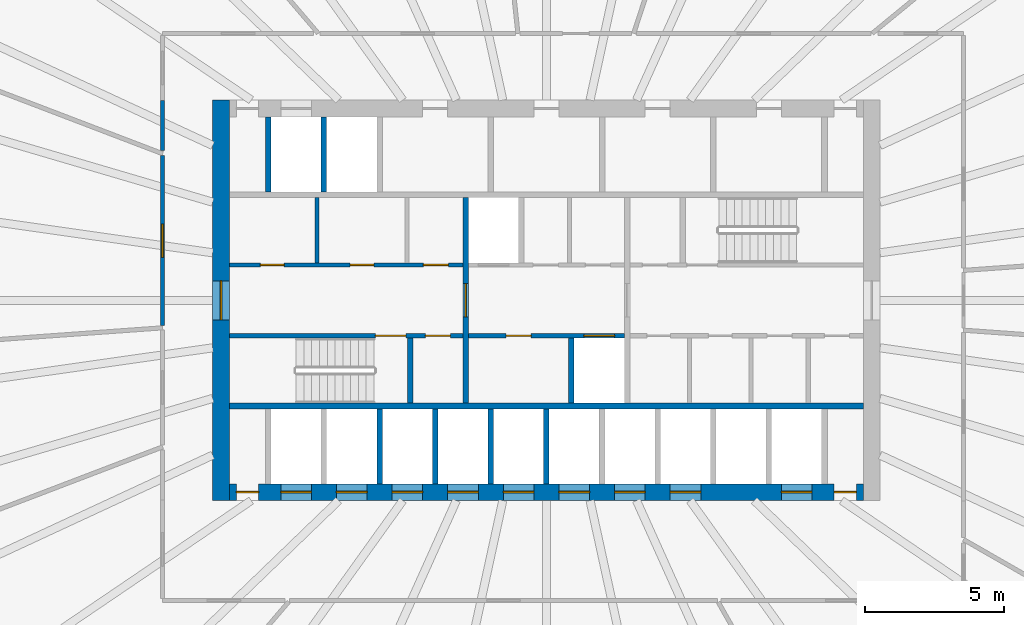
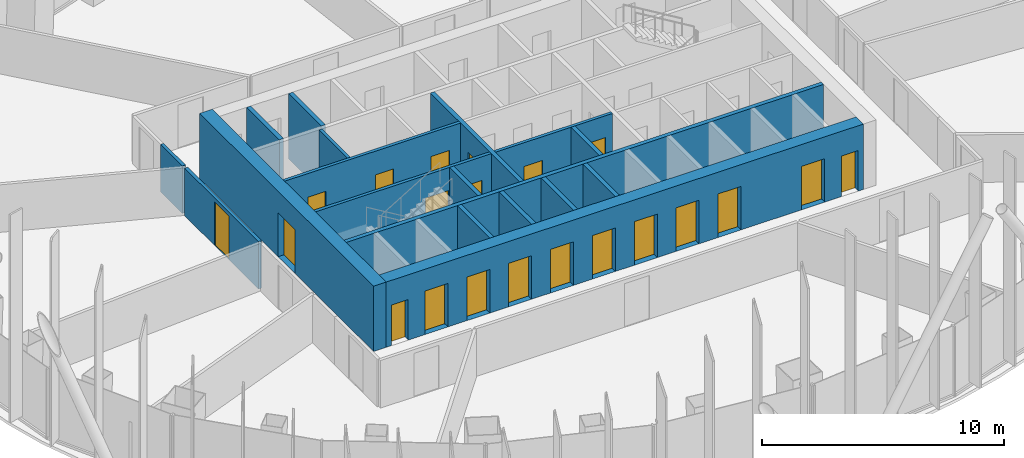
# One storey, part 8 of 22: 21 doors, 18 walls, 21 openings.
"""IFC4 building model written with IfcOpenShell, lengths in metres."""

from ifc_helpers import new_model, si_unit, direction, frame, frame_2d, origin, place, context, subcontext, project, spatial, rectangle, extrude, material, layer, layer_set, type_object, element, fill, save


model = new_model("IFC4")

# Units and contexts
model_context = context("Model", 3, precision=1e-05, world=origin(), true_north=direction((0.0, 1.0)))
body_context = subcontext(model_context, "Body", "Model", "MODEL_VIEW")
ifc_project = project(units=[si_unit("LENGTHUNIT", "METRE"), si_unit("AREAUNIT", "SQUARE_METRE"), si_unit("VOLUMEUNIT", "CUBIC_METRE"), si_unit("PLANEANGLEUNIT", "RADIAN"), si_unit("MASSUNIT", "GRAM", prefix="KILO")], contexts=[model_context])

# Site, building, storey
site_placement = place(None, origin())
site = spatial("IfcSite", under=ifc_project, at=site_placement, CompositionType="ELEMENT")
building_placement = place(site_placement, origin())
building = spatial("IfcBuilding", under=site, at=building_placement, Name="Siaravel Broadcast Tower", CompositionType="ELEMENT")
storey_placement = place(building_placement, frame((0.0, 0.0, 48.199951171875)))
storey = spatial("IfcBuildingStorey", under=building, at=storey_placement, Name="L10", CompositionType="ELEMENT", Elevation=48.199951171875)

# Wall
ifc_material_1 = material(Name="Concrete blockwork", Category="masonry")
ifc_layer_1 = layer(ifc_material_1, 0.14990234375)
ifc_layer_set_1 = layer_set([ifc_layer_1], Name="Concrete blockwork")
wall_type_1 = type_object("IfcWallType", Name="Core partition 150", PredefinedType="PARTITIONING", material=ifc_layer_set_1)
wall_1_placement = place(storey_placement, frame((-8.2470703125, 1.35009765625, 0.0), z_axis=(0.0, 0.0, 1.0), x_axis=(0.0, 1.0, 0.0)))
element("IfcWall", 1, at=wall_1_placement, inside=storey, type_object=wall_type_1, Name="L10 core partition PNW0", PredefinedType="PARTITIONING", context=body_context, shape_type="SweptSolid", body=[
    extrude(rectangle(XDim=2.349853515625, YDim=0.14990234375, at=frame_2d((1.1748046875, 0.0))), origin(), (0.0, 0.0, 1.0), 3.300048828125),
])

# Wall, opening, door
ifc_material_2 = material(Name="Concrete C60/75", Category="concrete")
ifc_layer_2 = layer(ifc_material_2, 0.60009765625)
ifc_layer_set_2 = layer_set([ifc_layer_2], Name="Concrete C60/75")
wall_type_2 = type_object("IfcWallType", Name="Core wall 600", PredefinedType="SHEAR", material=ifc_layer_set_2)
wall_2_placement = place(storey_placement, frame((-11.699951171875, -7.199951171875, 0.0), z_axis=(0.0, 0.0, 1.0), x_axis=(0.0, 1.0, 0.0)))
wall_2 = element("IfcWall", 2, at=wall_2_placement, inside=storey, type_object=wall_type_2, Name="L10 core wall OW", PredefinedType="SHEAR", context=body_context, shape_type="SweptSolid", body=[
    extrude(rectangle(XDim=14.39990234375, YDim=0.60009765625, at=frame_2d((7.199951171875, 0.0))), origin(), (0.0, 0.0, 1.0), 3.300048828125),
])
opening_1_placement = place(wall_2_placement, frame((6.5, 0.0, 0.0)))
opening_1 = element("IfcOpeningElement", 3, at=opening_1_placement, cuts=wall_2, Name="Opening L10-DX-W", PredefinedType="OPENING", context=body_context, shape_type="SweptSolid", body=[
    extrude(rectangle(XDim=1.39990234375, YDim=2.199951171875, at=frame_2d((0.699951171875, 1.10009765625))), frame((0.0, 0.31005859375, 0.0), z_axis=(0.0, -1.0, 0.0), x_axis=(1.0, 0.0, 0.0)), (0.0, 0.0, 1.0), 0.6201171875),
])
ifc_material_3 = material(Name="Steel", Category="steel")
door_type_1 = type_object("IfcDoorType", Name="Core exit door 1400", OperationType="DOUBLE_DOOR_SINGLE_SWING", PredefinedType="DOOR", material=ifc_material_3)
door_1_placement = place(opening_1_placement, origin())
door_1 = element("IfcDoor", 4, at=door_1_placement, inside=storey, type_object=door_type_1, Name="L10 door DX-W", OperationType="DOUBLE_DOOR_SINGLE_SWING", OverallHeight=2.199951171875, OverallWidth=1.39990234375, PredefinedType="DOOR", context=body_context, shape_type="SweptSolid", body=[
    extrude(rectangle(XDim=1.39990234375, YDim=2.199951171875, at=frame_2d((0.699951171875, 1.10009765625))), frame((0.0, 0.02490234375, 0.0), z_axis=(0.0, -1.0, 0.0), x_axis=(1.0, 0.0, 0.0)), (0.0, 0.0, 1.0), 0.050048828125),
])
fill(opening_1, door_1)

# Wall, openings, doors
wall_3_placement = place(storey_placement, frame((-11.39990234375, -6.89990234375, 0.0), z_axis=(0.0, 0.0, 1.0), x_axis=(1.0, 0.0, 0.0)))
wall_3 = element("IfcWall", 5, at=wall_3_placement, inside=storey, type_object=wall_type_2, Name="L10 core wall OS", PredefinedType="SHEAR", context=body_context, shape_type="SweptSolid", body=[
    extrude(rectangle(XDim=22.7998046875, YDim=0.60009765625, at=frame_2d((11.39990234375, 0.0))), origin(), (0.0, 0.0, 1.0), 3.300048828125),
])
opening_2_placement = place(wall_3_placement, frame((1.85009765625, 0.0, 0.0)))
opening_2 = element("IfcOpeningElement", 6, at=opening_2_placement, cuts=wall_3, Name="Opening LD-LP1-L10", PredefinedType="OPENING", context=body_context, shape_type="SweptSolid", body=[
    extrude(rectangle(XDim=1.10009765625, YDim=2.199951171875, at=frame_2d((0.550048828125, 1.10009765625))), frame((0.0, 0.31005859375, 0.0), z_axis=(0.0, -1.0, 0.0), x_axis=(1.0, 0.0, 0.0)), (0.0, 0.0, 1.0), 0.6201171875),
])
opening_3_placement = place(wall_3_placement, frame((3.85009765625, 0.0, 0.0)))
opening_3 = element("IfcOpeningElement", 7, at=opening_3_placement, cuts=wall_3, Name="Opening LD-LP2-L10", PredefinedType="OPENING", context=body_context, shape_type="SweptSolid", body=[
    extrude(rectangle(XDim=1.10009765625, YDim=2.199951171875, at=frame_2d((0.550048828125, 1.10009765625))), frame((0.0, 0.31005859375, 0.0), z_axis=(0.0, -1.0, 0.0), x_axis=(1.0, 0.0, 0.0)), (0.0, 0.0, 1.0), 0.6201171875),
])
opening_4_placement = place(wall_3_placement, frame((5.85009765625, 0.0, 0.0)))
opening_4 = element("IfcOpeningElement", 8, at=opening_4_placement, cuts=wall_3, Name="Opening LD-LP3-L10", PredefinedType="OPENING", context=body_context, shape_type="SweptSolid", body=[
    extrude(rectangle(XDim=1.10009765625, YDim=2.199951171875, at=frame_2d((0.550048828125, 1.10009765625))), frame((0.0, 0.31005859375, 0.0), z_axis=(0.0, -1.0, 0.0), x_axis=(1.0, 0.0, 0.0)), (0.0, 0.0, 1.0), 0.6201171875),
])
opening_5_placement = place(wall_3_placement, frame((7.85009765625, 0.0, 0.0)))
opening_5 = element("IfcOpeningElement", 9, at=opening_5_placement, cuts=wall_3, Name="Opening LD-LP4-L10", PredefinedType="OPENING", context=body_context, shape_type="SweptSolid", body=[
    extrude(rectangle(XDim=1.10009765625, YDim=2.199951171875, at=frame_2d((0.550048828125, 1.10009765625))), frame((0.0, 0.31005859375, 0.0), z_axis=(0.0, -1.0, 0.0), x_axis=(1.0, 0.0, 0.0)), (0.0, 0.0, 1.0), 0.6201171875),
])
opening_6_placement = place(wall_3_placement, frame((9.85009765625, 0.0, 0.0)))
opening_6 = element("IfcOpeningElement", 10, at=opening_6_placement, cuts=wall_3, Name="Opening LD-LP5-L10", PredefinedType="OPENING", context=body_context, shape_type="SweptSolid", body=[
    extrude(rectangle(XDim=1.10009765625, YDim=2.199951171875, at=frame_2d((0.550048828125, 1.10009765625))), frame((0.0, 0.31005859375, 0.0), z_axis=(0.0, -1.0, 0.0), x_axis=(1.0, 0.0, 0.0)), (0.0, 0.0, 1.0), 0.6201171875),
])
opening_7_placement = place(wall_3_placement, frame((11.85009765625, 0.0, 0.0)))
opening_7 = element("IfcOpeningElement", 11, at=opening_7_placement, cuts=wall_3, Name="Opening LD-LP6-L10", PredefinedType="OPENING", context=body_context, shape_type="SweptSolid", body=[
    extrude(rectangle(XDim=1.10009765625, YDim=2.199951171875, at=frame_2d((0.550048828125, 1.10009765625))), frame((0.0, 0.31005859375, 0.0), z_axis=(0.0, -1.0, 0.0), x_axis=(1.0, 0.0, 0.0)), (0.0, 0.0, 1.0), 0.6201171875),
])
opening_8_placement = place(wall_3_placement, frame((13.85009765625, 0.0, 0.0)))
opening_8 = element("IfcOpeningElement", 12, at=opening_8_placement, cuts=wall_3, Name="Opening LD-LP7-L10", PredefinedType="OPENING", context=body_context, shape_type="SweptSolid", body=[
    extrude(rectangle(XDim=1.10009765625, YDim=2.199951171875, at=frame_2d((0.550048828125, 1.10009765625))), frame((0.0, 0.31005859375, 0.0), z_axis=(0.0, -1.0, 0.0), x_axis=(1.0, 0.0, 0.0)), (0.0, 0.0, 1.0), 0.6201171875),
])
opening_9_placement = place(wall_3_placement, frame((15.85009765625, 0.0, 0.0)))
opening_9 = element("IfcOpeningElement", 13, at=opening_9_placement, cuts=wall_3, Name="Opening LD-LP8-L10", PredefinedType="OPENING", context=body_context, shape_type="SweptSolid", body=[
    extrude(rectangle(XDim=1.10009765625, YDim=2.199951171875, at=frame_2d((0.550048828125, 1.10009765625))), frame((0.0, 0.31005859375, 0.0), z_axis=(0.0, -1.0, 0.0), x_axis=(1.0, 0.0, 0.0)), (0.0, 0.0, 1.0), 0.6201171875),
])
opening_10_placement = place(wall_3_placement, frame((19.85009765625, 0.0, 0.0)))
opening_10 = element("IfcOpeningElement", 14, at=opening_10_placement, cuts=wall_3, Name="Opening LD-SV1-L10", PredefinedType="OPENING", context=body_context, shape_type="SweptSolid", body=[
    extrude(rectangle(XDim=1.10009765625, YDim=2.199951171875, at=frame_2d((0.550048828125, 1.10009765625))), frame((0.0, 0.31005859375, 0.0), z_axis=(0.0, -1.0, 0.0), x_axis=(1.0, 0.0, 0.0)), (0.0, 0.0, 1.0), 0.6201171875),
])
opening_11_placement = place(wall_3_placement, frame((0.25, 0.0, 0.0)))
opening_11 = element("IfcOpeningElement", 15, at=opening_11_placement, cuts=wall_3, Name="Opening L10-DRSW", PredefinedType="OPENING", context=body_context, shape_type="SweptSolid", body=[
    extrude(rectangle(XDim=0.800048828125, YDim=2.050048828125, at=frame_2d((0.39990234375, 1.02490234375))), frame((0.0, 0.31005859375, 0.0), z_axis=(0.0, -1.0, 0.0), x_axis=(1.0, 0.0, 0.0)), (0.0, 0.0, 1.0), 0.6201171875),
])
opening_12_placement = place(wall_3_placement, frame((21.75, 0.0, 0.0)))
opening_12 = element("IfcOpeningElement", 16, at=opening_12_placement, cuts=wall_3, Name="Opening L10-DRSE", PredefinedType="OPENING", context=body_context, shape_type="SweptSolid", body=[
    extrude(rectangle(XDim=0.800048828125, YDim=2.050048828125, at=frame_2d((0.39990234375, 1.02490234375))), frame((0.0, 0.31005859375, 0.0), z_axis=(0.0, -1.0, 0.0), x_axis=(1.0, 0.0, 0.0)), (0.0, 0.0, 1.0), 0.6201171875),
])
ifc_material_4 = material(Name="Stainless steel 316L", Category="steel")
door_type_2 = type_object("IfcDoorType", Name="Lift landing door 1100", OperationType="DOUBLE_DOOR_SLIDING", PredefinedType="DOOR", material=ifc_material_4)
door_2_placement = place(opening_2_placement, origin())
door_2 = element("IfcDoor", 17, at=door_2_placement, inside=storey, type_object=door_type_2, Name="Landing door LP1 L10", OperationType="DOUBLE_DOOR_SLIDING", OverallHeight=2.199951171875, OverallWidth=1.10009765625, PredefinedType="DOOR", context=body_context, shape_type="SweptSolid", body=[
    extrude(rectangle(XDim=1.10009765625, YDim=2.199951171875, at=frame_2d((0.550048828125, 1.10009765625))), frame((0.0, 0.02490234375, 0.0), z_axis=(0.0, -1.0, 0.0), x_axis=(1.0, 0.0, 0.0)), (0.0, 0.0, 1.0), 0.050048828125),
])
fill(opening_2, door_2)
door_3_placement = place(opening_3_placement, origin())
door_3 = element("IfcDoor", 18, at=door_3_placement, inside=storey, type_object=door_type_2, Name="Landing door LP2 L10", OperationType="DOUBLE_DOOR_SLIDING", OverallHeight=2.199951171875, OverallWidth=1.10009765625, PredefinedType="DOOR", context=body_context, shape_type="SweptSolid", body=[
    extrude(rectangle(XDim=1.10009765625, YDim=2.199951171875, at=frame_2d((0.550048828125, 1.10009765625))), frame((0.0, 0.02490234375, 0.0), z_axis=(0.0, -1.0, 0.0), x_axis=(1.0, 0.0, 0.0)), (0.0, 0.0, 1.0), 0.050048828125),
])
fill(opening_3, door_3)
door_4_placement = place(opening_4_placement, origin())
door_4 = element("IfcDoor", 19, at=door_4_placement, inside=storey, type_object=door_type_2, Name="Landing door LP3 L10", OperationType="DOUBLE_DOOR_SLIDING", OverallHeight=2.199951171875, OverallWidth=1.10009765625, PredefinedType="DOOR", context=body_context, shape_type="SweptSolid", body=[
    extrude(rectangle(XDim=1.10009765625, YDim=2.199951171875, at=frame_2d((0.550048828125, 1.10009765625))), frame((0.0, 0.02490234375, 0.0), z_axis=(0.0, -1.0, 0.0), x_axis=(1.0, 0.0, 0.0)), (0.0, 0.0, 1.0), 0.050048828125),
])
fill(opening_4, door_4)
door_5_placement = place(opening_5_placement, origin())
door_5 = element("IfcDoor", 20, at=door_5_placement, inside=storey, type_object=door_type_2, Name="Landing door LP4 L10", OperationType="DOUBLE_DOOR_SLIDING", OverallHeight=2.199951171875, OverallWidth=1.10009765625, PredefinedType="DOOR", context=body_context, shape_type="SweptSolid", body=[
    extrude(rectangle(XDim=1.10009765625, YDim=2.199951171875, at=frame_2d((0.550048828125, 1.10009765625))), frame((0.0, 0.02490234375, 0.0), z_axis=(0.0, -1.0, 0.0), x_axis=(1.0, 0.0, 0.0)), (0.0, 0.0, 1.0), 0.050048828125),
])
fill(opening_5, door_5)
door_6_placement = place(opening_6_placement, origin())
door_6 = element("IfcDoor", 21, at=door_6_placement, inside=storey, type_object=door_type_2, Name="Landing door LP5 L10", OperationType="DOUBLE_DOOR_SLIDING", OverallHeight=2.199951171875, OverallWidth=1.10009765625, PredefinedType="DOOR", context=body_context, shape_type="SweptSolid", body=[
    extrude(rectangle(XDim=1.10009765625, YDim=2.199951171875, at=frame_2d((0.550048828125, 1.10009765625))), frame((0.0, 0.02490234375, 0.0), z_axis=(0.0, -1.0, 0.0), x_axis=(1.0, 0.0, 0.0)), (0.0, 0.0, 1.0), 0.050048828125),
])
fill(opening_6, door_6)
door_7_placement = place(opening_7_placement, origin())
door_7 = element("IfcDoor", 22, at=door_7_placement, inside=storey, type_object=door_type_2, Name="Landing door LP6 L10", OperationType="DOUBLE_DOOR_SLIDING", OverallHeight=2.199951171875, OverallWidth=1.10009765625, PredefinedType="DOOR", context=body_context, shape_type="SweptSolid", body=[
    extrude(rectangle(XDim=1.10009765625, YDim=2.199951171875, at=frame_2d((0.550048828125, 1.10009765625))), frame((0.0, 0.02490234375, 0.0), z_axis=(0.0, -1.0, 0.0), x_axis=(1.0, 0.0, 0.0)), (0.0, 0.0, 1.0), 0.050048828125),
])
fill(opening_7, door_7)
door_8_placement = place(opening_8_placement, origin())
door_8 = element("IfcDoor", 23, at=door_8_placement, inside=storey, type_object=door_type_2, Name="Landing door LP7 L10", OperationType="DOUBLE_DOOR_SLIDING", OverallHeight=2.199951171875, OverallWidth=1.10009765625, PredefinedType="DOOR", context=body_context, shape_type="SweptSolid", body=[
    extrude(rectangle(XDim=1.10009765625, YDim=2.199951171875, at=frame_2d((0.550048828125, 1.10009765625))), frame((0.0, 0.02490234375, 0.0), z_axis=(0.0, -1.0, 0.0), x_axis=(1.0, 0.0, 0.0)), (0.0, 0.0, 1.0), 0.050048828125),
])
fill(opening_8, door_8)
door_9_placement = place(opening_9_placement, origin())
door_9 = element("IfcDoor", 24, at=door_9_placement, inside=storey, type_object=door_type_2, Name="Landing door LP8 L10", OperationType="DOUBLE_DOOR_SLIDING", OverallHeight=2.199951171875, OverallWidth=1.10009765625, PredefinedType="DOOR", context=body_context, shape_type="SweptSolid", body=[
    extrude(rectangle(XDim=1.10009765625, YDim=2.199951171875, at=frame_2d((0.550048828125, 1.10009765625))), frame((0.0, 0.02490234375, 0.0), z_axis=(0.0, -1.0, 0.0), x_axis=(1.0, 0.0, 0.0)), (0.0, 0.0, 1.0), 0.050048828125),
])
fill(opening_9, door_9)
door_type_3 = type_object("IfcDoorType", Name="Riser door 800", OperationType="SINGLE_SWING_LEFT", PredefinedType="DOOR", material=ifc_material_3)
door_10_placement = place(opening_11_placement, origin())
door_10 = element("IfcDoor", 25, at=door_10_placement, inside=storey, type_object=door_type_3, Name="L10 door DRSW", OperationType="SINGLE_SWING_LEFT", OverallHeight=2.050048828125, OverallWidth=0.800048828125, PredefinedType="DOOR", context=body_context, shape_type="SweptSolid", body=[
    extrude(rectangle(XDim=0.800048828125, YDim=2.050048828125, at=frame_2d((0.39990234375, 1.02490234375))), frame((0.0, 0.02490234375, 0.0), z_axis=(0.0, -1.0, 0.0), x_axis=(1.0, 0.0, 0.0)), (0.0, 0.0, 1.0), 0.050048828125),
])
fill(opening_11, door_10)
door_11_placement = place(opening_12_placement, origin())
door_11 = element("IfcDoor", 26, at=door_11_placement, inside=storey, type_object=door_type_3, Name="L10 door DRSE", OperationType="SINGLE_SWING_LEFT", OverallHeight=2.050048828125, OverallWidth=0.800048828125, PredefinedType="DOOR", context=body_context, shape_type="SweptSolid", body=[
    extrude(rectangle(XDim=0.800048828125, YDim=2.050048828125, at=frame_2d((0.39990234375, 1.02490234375))), frame((0.0, 0.02490234375, 0.0), z_axis=(0.0, -1.0, 0.0), x_axis=(1.0, 0.0, 0.0)), (0.0, 0.0, 1.0), 0.050048828125),
])
fill(opening_12, door_11)
door_type_4 = type_object("IfcDoorType", Name="Service lift landing door 1100", OperationType="DOUBLE_DOOR_SLIDING", PredefinedType="DOOR", material=ifc_material_4)
door_12_placement = place(opening_10_placement, origin())
door_12 = element("IfcDoor", 27, at=door_12_placement, inside=storey, type_object=door_type_4, Name="Landing door SV1 L10", OperationType="DOUBLE_DOOR_SLIDING", OverallHeight=2.199951171875, OverallWidth=1.10009765625, PredefinedType="DOOR", context=body_context, shape_type="SweptSolid", body=[
    extrude(rectangle(XDim=1.10009765625, YDim=2.199951171875, at=frame_2d((0.550048828125, 1.10009765625))), frame((0.0, 0.02490234375, 0.0), z_axis=(0.0, -1.0, 0.0), x_axis=(1.0, 0.0, 0.0)), (0.0, 0.0, 1.0), 0.050048828125),
])
fill(opening_10, door_12)

ifc_material_5 = material(Name="Gypsum board partition", Category="gypsum")
ifc_layer_3 = layer(ifc_material_5, 0.14990234375)
ifc_layer_set_3 = layer_set([ifc_layer_3], Name="Gypsum board partition")
wall_type_3 = type_object("IfcWallType", Name="Corridor wall 150", PredefinedType="PARTITIONING", material=ifc_layer_set_3)
wall_4_placement = place(storey_placement, frame((-11.39990234375, 1.27490234375, 0.0), z_axis=(0.0, 0.0, 1.0), x_axis=(1.0, 0.0, 0.0)))
wall_4 = element("IfcWall", 28, at=wall_4_placement, inside=storey, type_object=wall_type_3, Name="L10 core partition CNW", PredefinedType="PARTITIONING", context=body_context, shape_type="SweptSolid", body=[
    extrude(rectangle(XDim=8.39990234375, YDim=0.14990234375, at=frame_2d((4.199951171875, 0.0))), origin(), (0.0, 0.0, 1.0), 3.300048828125),
])
opening_13_placement = place(wall_4_placement, frame((1.114013671875, 0.0, 0.0)))
opening_13 = element("IfcOpeningElement", 29, at=opening_13_placement, cuts=wall_4, Name="Opening L10-DNW0", PredefinedType="OPENING", context=body_context, shape_type="SweptSolid", body=[
    extrude(rectangle(XDim=0.85009765625, YDim=2.10009765625, at=frame_2d((0.425048828125, 1.050048828125))), frame((0.0, 0.0849609375, 0.0), z_axis=(0.0, -1.0, 0.0), x_axis=(1.0, 0.0, 0.0)), (0.0, 0.0, 1.0), 0.169921875),
])
opening_14_placement = place(wall_4_placement, frame((4.342041015625, 0.0, 0.0)))
opening_14 = element("IfcOpeningElement", 30, at=opening_14_placement, cuts=wall_4, Name="Opening L10-DNW1", PredefinedType="OPENING", context=body_context, shape_type="SweptSolid", body=[
    extrude(rectangle(XDim=0.85009765625, YDim=2.10009765625, at=frame_2d((0.425048828125, 1.050048828125))), frame((0.0, 0.0849609375, 0.0), z_axis=(0.0, -1.0, 0.0), x_axis=(1.0, 0.0, 0.0)), (0.0, 0.0, 1.0), 0.169921875),
])
opening_15_placement = place(wall_4_placement, frame((6.97802734375, 0.0, 0.0)))
opening_15 = element("IfcOpeningElement", 31, at=opening_15_placement, cuts=wall_4, Name="Opening L10-DNW2", PredefinedType="OPENING", context=body_context, shape_type="SweptSolid", body=[
    extrude(rectangle(XDim=0.89990234375, YDim=2.10009765625, at=frame_2d((0.449951171875, 1.050048828125))), frame((0.0, 0.0849609375, 0.0), z_axis=(0.0, -1.0, 0.0), x_axis=(1.0, 0.0, 0.0)), (0.0, 0.0, 1.0), 0.169921875),
])
ifc_material_6 = material(Name="Timber veneer", Category="wood")
door_type_5 = type_object("IfcDoorType", Name="Core room door 900", OperationType="SINGLE_SWING_LEFT", PredefinedType="DOOR", material=ifc_material_6)
door_13_placement = place(opening_15_placement, origin())
door_13 = element("IfcDoor", 32, at=door_13_placement, inside=storey, type_object=door_type_5, Name="L10 door DNW2", OperationType="SINGLE_SWING_LEFT", OverallHeight=2.10009765625, OverallWidth=0.89990234375, PredefinedType="DOOR", context=body_context, shape_type="SweptSolid", body=[
    extrude(rectangle(XDim=0.89990234375, YDim=2.10009765625, at=frame_2d((0.449951171875, 1.050048828125))), frame((0.0, 0.02490234375, 0.0), z_axis=(0.0, -1.0, 0.0), x_axis=(1.0, 0.0, 0.0)), (0.0, 0.0, 1.0), 0.050048828125),
])
fill(opening_15, door_13)
door_type_6 = type_object("IfcDoorType", Name="Core toilet door 850", OperationType="SINGLE_SWING_LEFT", PredefinedType="DOOR", material=ifc_material_6)
door_14_placement = place(opening_13_placement, origin())
door_14 = element("IfcDoor", 33, at=door_14_placement, inside=storey, type_object=door_type_6, Name="L10 door DNW0", OperationType="SINGLE_SWING_LEFT", OverallHeight=2.10009765625, OverallWidth=0.85009765625, PredefinedType="DOOR", context=body_context, shape_type="SweptSolid", body=[
    extrude(rectangle(XDim=0.85009765625, YDim=2.10009765625, at=frame_2d((0.425048828125, 1.050048828125))), frame((0.0, 0.02490234375, 0.0), z_axis=(0.0, -1.0, 0.0), x_axis=(1.0, 0.0, 0.0)), (0.0, 0.0, 1.0), 0.050048828125),
])
fill(opening_13, door_14)
door_15_placement = place(opening_14_placement, origin())
door_15 = element("IfcDoor", 34, at=door_15_placement, inside=storey, type_object=door_type_6, Name="L10 door DNW1", OperationType="SINGLE_SWING_LEFT", OverallHeight=2.10009765625, OverallWidth=0.85009765625, PredefinedType="DOOR", context=body_context, shape_type="SweptSolid", body=[
    extrude(rectangle(XDim=0.85009765625, YDim=2.10009765625, at=frame_2d((0.425048828125, 1.050048828125))), frame((0.0, 0.02490234375, 0.0), z_axis=(0.0, -1.0, 0.0), x_axis=(1.0, 0.0, 0.0)), (0.0, 0.0, 1.0), 0.050048828125),
])
fill(opening_14, door_15)

# Wall, opening, door
wall_5_placement = place(storey_placement, frame((-13.800048828125, 5.198974609375, 0.0), z_axis=(0.0, 0.0, 1.0), x_axis=(0.0, -1.0, 0.0)))
wall_5 = element("IfcWall", 35, at=wall_5_placement, inside=storey, type_object=wall_type_3, Name="L10 partition 17", PredefinedType="PARTITIONING", context=body_context, shape_type="SweptSolid", body=[
    extrude(rectangle(XDim=6.111083984375, YDim=0.14990234375, at=frame_2d((3.0556640625, 0.0))), origin(), (0.0, 0.0, 1.0), 2.400146484375),
])
opening_16_placement = place(wall_5_placement, frame((2.45556640625, 0.0, 0.0)))
opening_16 = element("IfcOpeningElement", 36, at=opening_16_placement, cuts=wall_5, Name="Opening L10-008", PredefinedType="OPENING", context=body_context, shape_type="SweptSolid", body=[
    extrude(rectangle(XDim=1.199951171875, YDim=2.199951171875, at=frame_2d((0.60009765625, 1.10009765625))), frame((0.0, 0.0849609375, 0.0), z_axis=(0.0, -1.0, 0.0), x_axis=(1.0, 0.0, 0.0)), (0.0, 0.0, 1.0), 0.169921875),
])
door_type_7 = type_object("IfcDoorType", Name="Office double door 1200", OperationType="DOUBLE_DOOR_SINGLE_SWING", PredefinedType="DOOR", material=ifc_material_6)
door_16_placement = place(opening_16_placement, origin())
door_16 = element("IfcDoor", 37, at=door_16_placement, inside=storey, type_object=door_type_7, Name="L10 door to Newsroom desk office", OperationType="DOUBLE_DOOR_SINGLE_SWING", OverallHeight=2.199951171875, OverallWidth=1.199951171875, PredefinedType="DOOR", context=body_context, shape_type="SweptSolid", body=[
    extrude(rectangle(XDim=1.199951171875, YDim=2.199951171875, at=frame_2d((0.60009765625, 1.10009765625))), frame((0.0, 0.02490234375, 0.0), z_axis=(0.0, -1.0, 0.0), x_axis=(1.0, 0.0, 0.0)), (0.0, 0.0, 1.0), 0.050048828125),
])
fill(opening_16, door_16)

# Wall
wall_6_placement = place(storey_placement, frame((-13.800048828125, 7.18701171875, 0.0), z_axis=(0.0, 0.0, 1.0), x_axis=(0.0, -1.0, 0.0)))
element("IfcWall", 38, at=wall_6_placement, inside=storey, type_object=wall_type_3, Name="L10 partition 31", PredefinedType="PARTITIONING", context=body_context, shape_type="SweptSolid", body=[
    extrude(rectangle(XDim=1.804931640625, YDim=0.14990234375, at=frame_2d((0.90234375, 0.0))), origin(), (0.0, 0.0, 1.0), 2.400146484375),
])

# Wall, openings, doors
ifc_layer_4 = layer(ifc_material_2, 0.14990234375)
ifc_layer_set_4 = layer_set([ifc_layer_4], Name="Concrete C60/75")
wall_type_4 = type_object("IfcWallType", Name="Shaft wall 150", PredefinedType="SHEAR", material=ifc_layer_set_4)
wall_7_placement = place(storey_placement, frame((-11.39990234375, -1.27490234375, 0.0), z_axis=(0.0, 0.0, 1.0), x_axis=(1.0, 0.0, 0.0)))
wall_7 = element("IfcWall", 39, at=wall_7_placement, inside=storey, type_object=wall_type_4, Name="L10 core wall CSW", PredefinedType="SHEAR", context=body_context, shape_type="SweptSolid", body=[
    extrude(rectangle(XDim=8.39990234375, YDim=0.14990234375, at=frame_2d((4.199951171875, 0.0))), origin(), (0.0, 0.0, 1.0), 3.300048828125),
])
opening_17_placement = place(wall_7_placement, frame((5.25, 0.0, 0.0)))
opening_17 = element("IfcOpeningElement", 40, at=opening_17_placement, cuts=wall_7, Name="Opening L10-DS-1", PredefinedType="OPENING", context=body_context, shape_type="SweptSolid", body=[
    extrude(rectangle(XDim=1.10009765625, YDim=2.14990234375, at=frame_2d((0.550048828125, 1.074951171875))), frame((0.0, 0.0849609375, 0.0), z_axis=(0.0, -1.0, 0.0), x_axis=(1.0, 0.0, 0.0)), (0.0, 0.0, 1.0), 0.169921875),
])
opening_18_placement = place(wall_7_placement, frame((7.050048828125, 0.0, 0.0)))
opening_18 = element("IfcOpeningElement", 41, at=opening_18_placement, cuts=wall_7, Name="Opening L10-DSW0", PredefinedType="OPENING", context=body_context, shape_type="SweptSolid", body=[
    extrude(rectangle(XDim=0.89990234375, YDim=2.10009765625, at=frame_2d((0.449951171875, 1.050048828125))), frame((0.0, 0.0849609375, 0.0), z_axis=(0.0, -1.0, 0.0), x_axis=(1.0, 0.0, 0.0)), (0.0, 0.0, 1.0), 0.169921875),
])
door_17_placement = place(opening_18_placement, origin())
door_17 = element("IfcDoor", 42, at=door_17_placement, inside=storey, type_object=door_type_5, Name="L10 door DSW0", OperationType="SINGLE_SWING_LEFT", OverallHeight=2.10009765625, OverallWidth=0.89990234375, PredefinedType="DOOR", context=body_context, shape_type="SweptSolid", body=[
    extrude(rectangle(XDim=0.89990234375, YDim=2.10009765625, at=frame_2d((0.449951171875, 1.050048828125))), frame((0.0, 0.02490234375, 0.0), z_axis=(0.0, -1.0, 0.0), x_axis=(1.0, 0.0, 0.0)), (0.0, 0.0, 1.0), 0.050048828125),
])
fill(opening_18, door_17)
door_type_8 = type_object("IfcDoorType", Name="Stair door 1100", OperationType="SINGLE_SWING_LEFT", PredefinedType="DOOR", material=ifc_material_3)
door_18_placement = place(opening_17_placement, origin())
door_18 = element("IfcDoor", 43, at=door_18_placement, inside=storey, type_object=door_type_8, Name="L10 door DS-1", OperationType="SINGLE_SWING_LEFT", OverallHeight=2.14990234375, OverallWidth=1.10009765625, PredefinedType="DOOR", context=body_context, shape_type="SweptSolid", body=[
    extrude(rectangle(XDim=1.10009765625, YDim=2.14990234375, at=frame_2d((0.550048828125, 1.074951171875))), frame((0.0, 0.02490234375, 0.0), z_axis=(0.0, -1.0, 0.0), x_axis=(1.0, 0.0, 0.0)), (0.0, 0.0, 1.0), 0.050048828125),
])
fill(opening_17, door_18)

wall_8_placement = place(storey_placement, frame((-2.800048828125, -1.27490234375, 0.0), z_axis=(0.0, 0.0, 1.0), x_axis=(1.0, 0.0, 0.0)))
wall_8 = element("IfcWall", 44, at=wall_8_placement, inside=storey, type_object=wall_type_4, Name="L10 core wall CSM", PredefinedType="SHEAR", context=body_context, shape_type="SweptSolid", body=[
    extrude(rectangle(XDim=5.60009765625, YDim=0.14990234375, at=frame_2d((2.800048828125, 0.0))), origin(), (0.0, 0.0, 1.0), 3.300048828125),
])
opening_19_placement = place(wall_8_placement, frame((4.14990234375, 0.0, 0.0)))
opening_19 = element("IfcOpeningElement", 45, at=opening_19_placement, cuts=wall_8, Name="Opening LD-FL2-L10", PredefinedType="OPENING", context=body_context, shape_type="SweptSolid", body=[
    extrude(rectangle(XDim=1.10009765625, YDim=2.199951171875, at=frame_2d((0.550048828125, 1.10009765625))), frame((0.0, 0.0849609375, 0.0), z_axis=(0.0, -1.0, 0.0), x_axis=(1.0, 0.0, 0.0)), (0.0, 0.0, 1.0), 0.169921875),
])
opening_20_placement = place(wall_8_placement, frame((1.35009765625, 0.0, 0.0)))
opening_20 = element("IfcOpeningElement", 46, at=opening_20_placement, cuts=wall_8, Name="Opening L10-DSM0", PredefinedType="OPENING", context=body_context, shape_type="SweptSolid", body=[
    extrude(rectangle(XDim=0.89990234375, YDim=2.10009765625, at=frame_2d((0.449951171875, 1.050048828125))), frame((0.0, 0.0849609375, 0.0), z_axis=(0.0, -1.0, 0.0), x_axis=(1.0, 0.0, 0.0)), (0.0, 0.0, 1.0), 0.169921875),
])
door_19_placement = place(opening_20_placement, origin())
door_19 = element("IfcDoor", 47, at=door_19_placement, inside=storey, type_object=door_type_5, Name="L10 door DSM0", OperationType="SINGLE_SWING_LEFT", OverallHeight=2.10009765625, OverallWidth=0.89990234375, PredefinedType="DOOR", context=body_context, shape_type="SweptSolid", body=[
    extrude(rectangle(XDim=0.89990234375, YDim=2.10009765625, at=frame_2d((0.449951171875, 1.050048828125))), frame((0.0, 0.02490234375, 0.0), z_axis=(0.0, -1.0, 0.0), x_axis=(1.0, 0.0, 0.0)), (0.0, 0.0, 1.0), 0.050048828125),
])
fill(opening_20, door_19)
door_type_9 = type_object("IfcDoorType", Name="Firefighting lift landing door 1100", OperationType="DOUBLE_DOOR_SLIDING", PredefinedType="DOOR", material=ifc_material_4)
door_20_placement = place(opening_19_placement, origin())
door_20 = element("IfcDoor", 48, at=door_20_placement, inside=storey, type_object=door_type_9, Name="Landing door FL2 L10", OperationType="DOUBLE_DOOR_SLIDING", OverallHeight=2.199951171875, OverallWidth=1.10009765625, PredefinedType="DOOR", context=body_context, shape_type="SweptSolid", body=[
    extrude(rectangle(XDim=1.10009765625, YDim=2.199951171875, at=frame_2d((0.550048828125, 1.10009765625))), frame((0.0, 0.02490234375, 0.0), z_axis=(0.0, -1.0, 0.0), x_axis=(1.0, 0.0, 0.0)), (0.0, 0.0, 1.0), 0.050048828125),
])
fill(opening_19, door_20)

# Walls
ifc_layer_5 = layer(ifc_material_2, 0.199951171875)
ifc_layer_set_5 = layer_set([ifc_layer_5], Name="Concrete C60/75")
wall_type_5 = type_object("IfcWallType", Name="Shaft wall 200", PredefinedType="SHEAR", material=ifc_layer_set_5)
wall_9_placement = place(storey_placement, frame((-11.39990234375, -3.800048828125, 0.0), z_axis=(0.0, 0.0, 1.0), x_axis=(1.0, 0.0, 0.0)))
element("IfcWall", 49, at=wall_9_placement, inside=storey, type_object=wall_type_5, Name="L10 core wall BS", PredefinedType="SHEAR", context=body_context, shape_type="SweptSolid", body=[
    extrude(rectangle(XDim=22.7998046875, YDim=0.199951171875, at=frame_2d((11.39990234375, 0.0))), origin(), (0.0, 0.0, 1.0), 3.300048828125),
])
for number, where, z_axis, x_axis, name in (
    (50, (-6.0, -6.60009765625, 0.0), (0.0, 0.0, 1.0), (0.0, 1.0, 0.0), "L10 core wall SWS2"),
    (51, (-4.0, -6.60009765625, 0.0), (0.0, 0.0, 1.0), (0.0, 1.0, 0.0), "L10 core wall SWS3"),
    (52, (-2.0, -6.60009765625, 0.0), (0.0, 0.0, 1.0), (0.0, 1.0, 0.0), "L10 core wall SWS4"),
    (53, (0.0, -6.60009765625, 0.0), (0.0, 0.0, 1.0), (0.0, 1.0, 0.0), "L10 core wall SWS5"),
    (54, (-10.0, 3.89990234375, 0.0), (0.0, 0.0, 1.0), (0.0, 1.0, 0.0), "L10 core wall SWN0"),
    (55, (-8.0, 3.89990234375, 0.0), (0.0, 0.0, 1.0), (0.0, 1.0, 0.0), "L10 core wall SWN1"),
):
    element("IfcWall", number, at=place(storey_placement, frame(where, z_axis=z_axis, x_axis=x_axis)), inside=storey, type_object=wall_type_5, Name=name, PredefinedType="SHEAR", context=body_context, shape_type="SweptSolid", body=[
        extrude(rectangle(XDim=2.7001953125, YDim=0.199951171875, at=frame_2d((1.35009765625, 0.0))), origin(), (0.0, 0.0, 1.0), 3.300048828125),
    ])

# Wall, opening, door
wall_10_placement = place(storey_placement, frame((-2.89990234375, -3.699951171875, 0.0), z_axis=(0.0, 0.0, 1.0), x_axis=(0.0, 1.0, 0.0)))
wall_10 = element("IfcWall", 56, at=wall_10_placement, inside=storey, type_object=wall_type_5, Name="L10 core wall LW", PredefinedType="SHEAR", context=body_context, shape_type="SweptSolid", body=[
    extrude(rectangle(XDim=7.39990234375, YDim=0.199951171875, at=frame_2d((3.699951171875, 0.0))), origin(), (0.0, 0.0, 1.0), 3.300048828125),
])
opening_21_placement = place(wall_10_placement, frame((3.10009765625, 0.0, 0.0)))
opening_21 = element("IfcOpeningElement", 57, at=opening_21_placement, cuts=wall_10, Name="Opening L10-DL-W", PredefinedType="OPENING", context=body_context, shape_type="SweptSolid", body=[
    extrude(rectangle(XDim=1.199951171875, YDim=2.199951171875, at=frame_2d((0.60009765625, 1.10009765625))), frame((0.0, 0.10986328125, 0.0), z_axis=(0.0, -1.0, 0.0), x_axis=(1.0, 0.0, 0.0)), (0.0, 0.0, 1.0), 0.219970703125),
])
door_type_10 = type_object("IfcDoorType", Name="Firefighting lobby door 1200", OperationType="SINGLE_SWING_LEFT", PredefinedType="DOOR", material=ifc_material_3)
door_21_placement = place(opening_21_placement, origin())
door_21 = element("IfcDoor", 58, at=door_21_placement, inside=storey, type_object=door_type_10, Name="L10 door DL-W", OperationType="SINGLE_SWING_LEFT", OverallHeight=2.199951171875, OverallWidth=1.199951171875, PredefinedType="DOOR", context=body_context, shape_type="SweptSolid", body=[
    extrude(rectangle(XDim=1.199951171875, YDim=2.199951171875, at=frame_2d((0.60009765625, 1.10009765625))), frame((0.0, 0.02490234375, 0.0), z_axis=(0.0, -1.0, 0.0), x_axis=(1.0, 0.0, 0.0)), (0.0, 0.0, 1.0), 0.050048828125),
])
fill(opening_21, door_21)

# Walls
for number, where, z_axis, x_axis, name in (
    (59, (0.89990234375, -3.699951171875, 0.0), (0.0, 0.0, 1.0), (0.0, 1.0, 0.0), "L10 core wall FF2W"),
    (60, (-4.89990234375, -3.699951171875, 0.0), (0.0, 0.0, 1.0), (0.0, 1.0, 0.0), "L10 core wall ST1E"),
):
    element("IfcWall", number, at=place(storey_placement, frame(where, z_axis=z_axis, x_axis=x_axis)), inside=storey, type_object=wall_type_5, Name=name, PredefinedType="SHEAR", context=body_context, shape_type="SweptSolid", body=[
        extrude(rectangle(XDim=2.349853515625, YDim=0.199951171875, at=frame_2d((1.1748046875, 0.0))), origin(), (0.0, 0.0, 1.0), 3.300048828125),
    ])

save(model, "model.ifc")
